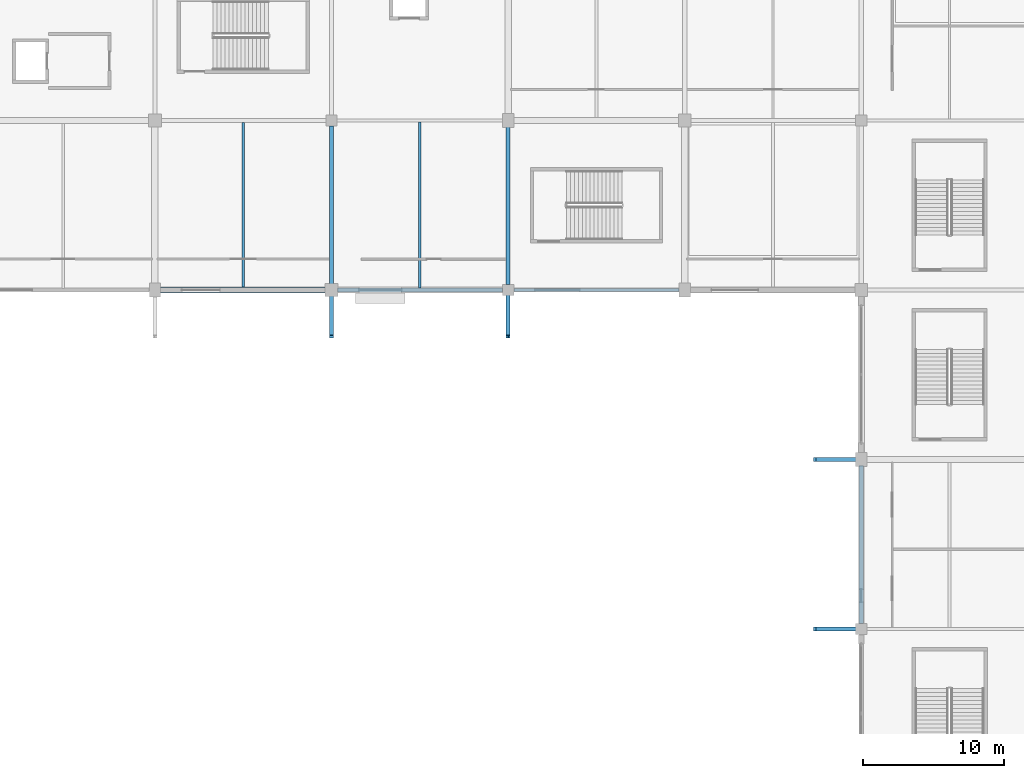
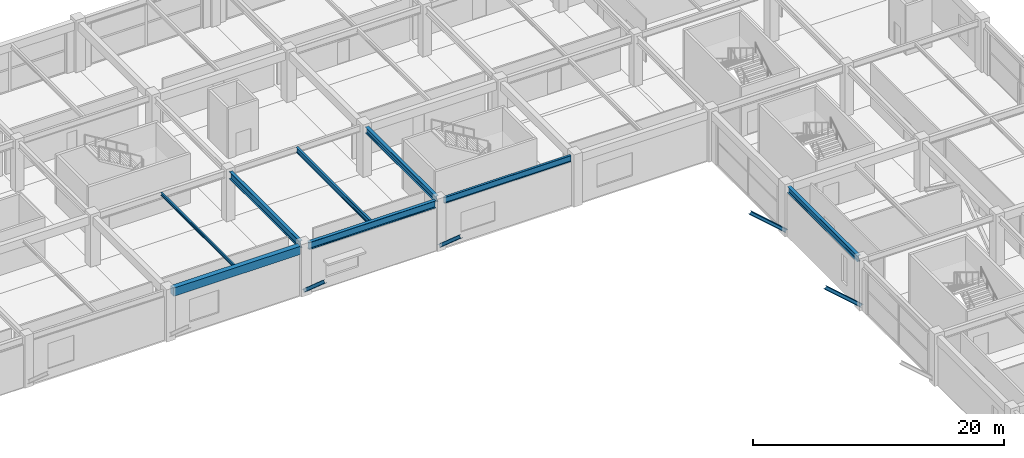
# One storey, part 39 of 116: 8 beams, 4 members.
"""IFC4 building model written with IfcOpenShell, lengths in metres."""

import ifcopenshell
import ifcopenshell.guid

model = None  # the IFC model being written
_history = None  # IfcOwnerHistory: only IFC2X3 demands one
_inside = {}  # id of a spatial element -> (the spatial element, [elements in it])
_under = {}  # id of a project, library or spatial element -> (it, [spatial elements below it])
_declared = {}  # id of a project -> (the project, [libraries it declares])
_typed = {}  # id of a type object -> (the type object, [elements of that type])
_made_of = {}  # id of a material, layer set ... -> (it, [elements and type objects made of it])


def new_model(schema):
    """Start an empty IFC model of exactly this schema.

    Asked for "IFC4X3", IfcOpenShell would pick the latest addendum, in which some entities
    have other attributes; the version numbers below select the first issue.
    IFC2X3 requires an IfcOwnerHistory on every rooted entity: one is made here for all.
    """
    global model, _history
    if schema == "IFC4X3":
        model = ifcopenshell.file(schema_version=(4, 3, 0, 0))
    else:
        model = ifcopenshell.file(schema=schema)
    _inside.clear()
    _under.clear()
    _declared.clear()
    _typed.clear()
    _made_of.clear()
    _history = None
    if model.schema == "IFC2X3":
        org = make("IfcOrganization", Name="unknown")
        user = make(
            "IfcPersonAndOrganization",
            ThePerson=make("IfcPerson", FamilyName="unknown"),
            TheOrganization=org,
        )
        app = make(
            "IfcApplication",
            ApplicationDeveloper=org,
            Version="unknown",
            ApplicationFullName="unknown",
            ApplicationIdentifier="unknown",
        )
        _history = make(
            "IfcOwnerHistory",
            OwningUser=user,
            OwningApplication=app,
            ChangeAction="ADDED",
            CreationDate=0,
        )
    return model


def make(cls, **values):
    """One entity of the class cls with the attributes given. An attribute that is None is left unset."""
    return model.create_entity(
        cls, **{name: value for name, value in values.items() if value is not None}
    )


def rooted(cls, **values):
    """An entity with a GlobalId (a new one), such as an element, a storey or a relation."""
    return make(cls, GlobalId=ifcopenshell.guid.new(), OwnerHistory=_history, **values)


def si_unit(unit_type, name, prefix=None):
    """IfcSIUnit, for example si_unit("LENGTHUNIT", "METRE", prefix="MILLI")."""
    return make("IfcSIUnit", UnitType=unit_type, Prefix=prefix, Name=name)


def assignment(units):
    """IfcUnitAssignment: the units of a project."""
    return None if units is None else make("IfcUnitAssignment", Units=units)


def point(xyz):
    """IfcCartesianPoint."""
    return None if xyz is None else make("IfcCartesianPoint", Coordinates=xyz)


def direction(xyz):
    """IfcDirection."""
    return None if xyz is None else make("IfcDirection", DirectionRatios=xyz)


def frame(location, z_axis=None, x_axis=None):
    """IfcAxis2Placement3D, a coordinate frame: its origin and axes. An axis left out is left unset."""
    return make(
        "IfcAxis2Placement3D",
        Location=point(location),
        Axis=direction(z_axis),
        RefDirection=direction(x_axis),
    )


def frame_2d(location, x_axis=None):
    """IfcAxis2Placement2D, a coordinate frame in the plane: its origin and x axis."""
    return make(
        "IfcAxis2Placement2D", Location=point(location), RefDirection=direction(x_axis)
    )


def origin():
    """The frame at (0, 0, 0) with its axes left unset."""
    return frame((0.0, 0.0, 0.0))


def origin_2d():
    """The frame at (0, 0) in the plane with its x axis left unset."""
    return frame_2d((0.0, 0.0))


def place(relative_to, where):
    """IfcLocalPlacement: puts the frame where relative to a parent placement (None: the world)."""
    return make(
        "IfcLocalPlacement", PlacementRelTo=relative_to, RelativePlacement=where
    )


def context(
    kind, dimensions, precision=None, world=None, true_north=None, identifier=None
):
    """IfcGeometricRepresentationContext, for example the 3D "Model" context."""
    return make(
        "IfcGeometricRepresentationContext",
        ContextIdentifier=identifier,
        ContextType=kind,
        CoordinateSpaceDimension=dimensions,
        Precision=precision,
        WorldCoordinateSystem=world,
        TrueNorth=true_north,
    )


def subcontext(parent, identifier, kind, view, scale=None):
    """IfcGeometricRepresentationSubContext, for example "Body" below "Model"."""
    return make(
        "IfcGeometricRepresentationSubContext",
        ContextIdentifier=identifier,
        ContextType=kind,
        ParentContext=parent,
        TargetScale=scale,
        TargetView=view,
    )


def project(units=None, contexts=None):
    """IfcProject with its units and contexts."""
    return rooted(
        "IfcProject",
        Name="project",
        RepresentationContexts=contexts,
        UnitsInContext=assignment(units),
    )


def spatial(cls, under=None, at=None, **own):
    """A site, building, storey or space (cls), placed at a placement, below another one or the project."""
    s = rooted(cls, ObjectPlacement=at, **own)
    if under is not None:
        _under.setdefault(under.id(), (under, []))[1].append(s)
    return s


def profile(cls, at=None, kind="AREA", **sizes):
    """A parametric profile (cls). Its sizes go by their IFC names, for example OverallWidth=200.0."""
    return make(cls, ProfileType=kind, Position=at, **sizes)


def rectangle(**sizes):
    """IfcRectangleProfileDef."""
    return profile("IfcRectangleProfileDef", **sizes)


def i_section(**sizes):
    """IfcIShapeProfileDef."""
    return profile("IfcIShapeProfileDef", **sizes)


def extrude(swept, where, along, depth):
    """IfcExtrudedAreaSolid: the profile swept, set in the frame where, extruded along a direction by depth."""
    return make(
        "IfcExtrudedAreaSolid",
        SweptArea=swept,
        Position=where,
        ExtrudedDirection=direction(along),
        Depth=depth,
    )


def shape(context_of_items, identifier, shape_type, items):
    """IfcShapeRepresentation: the items that make up one representation, for example the "Body"."""
    return make(
        "IfcShapeRepresentation",
        ContextOfItems=context_of_items,
        RepresentationIdentifier=identifier,
        RepresentationType=shape_type,
        Items=items,
    )


def material(Name=None, Category=None):
    """IfcMaterial."""
    return make("IfcMaterial", Name=Name, Category=Category)


def material_profile(
    of_material, cross_section, Name=None, Category=None, Priority=None
):
    """IfcMaterialProfile: a cross section and its material."""
    return make(
        "IfcMaterialProfile",
        Name=Name,
        Material=of_material,
        Profile=cross_section,
        Priority=Priority,
        Category=Category,
    )


def profile_set(profiles, Name=None, composite=None):
    """IfcMaterialProfileSet."""
    return make(
        "IfcMaterialProfileSet",
        Name=Name,
        MaterialProfiles=profiles,
        CompositeProfile=composite,
    )


def made_of(thing, what):
    """Note that an element or type object is made of a material, layer set ...; save() writes the relation."""
    if what is not None:
        _made_of.setdefault(what.id(), (what, []))[1].append(thing)
    return thing


def type_object(cls, material=None, **own):
    """A type object (cls), such as IfcWallType, which elements share."""
    return made_of(rooted(cls, **own), material)


def element(
    cls,
    number,
    at=None,
    inside=None,
    cuts=None,
    type_object=None,
    material=None,
    context=None,
    identifier="Body",
    shape_type=None,
    held_by="IfcProductDefinitionShape",
    body=None,
    shapes=None,
    **own,
):
    """One element of the class cls, such as IfcWall. Its Tag is "e" and its number.

    at: its placement. inside: the storey or other place that contains it. cuts: it is an
    opening in that element (IfcRelVoidsElement). A single representation is given by context,
    identifier, shape_type and body (its items); several are given by shapes. held_by: the class
    of the entity that holds the representations. save() writes the other relations.
    """
    e = rooted(cls, Tag="e%d" % number, ObjectPlacement=at, **own)
    if body is not None:
        shapes = [shape(context, identifier, shape_type, body)]
    if shapes is not None:
        e.Representation = make(held_by, Representations=shapes)
    if inside is not None:
        _inside.setdefault(inside.id(), (inside, []))[1].append(e)
    if cuts is not None:
        rooted(
            "IfcRelVoidsElement", RelatingBuildingElement=cuts, RelatedOpeningElement=e
        )
    if type_object is not None:
        _typed.setdefault(type_object.id(), (type_object, []))[1].append(e)
    return made_of(e, material)


def aggregate(whole, parts):
    """IfcRelAggregates: a whole, such as a stair, and the parts it consists of."""
    return rooted("IfcRelAggregates", RelatingObject=whole, RelatedObjects=parts)


def save(model, path):
    """Write the relations noted so far, then the file.

    IfcRelAggregates (storeys below a building ...), IfcRelContainedInSpatialStructure (elements
    in a storey), IfcRelDefinesByType, IfcRelAssociatesMaterial and IfcRelDeclares: one each for
    every whole, place, type object, material and project.
    """
    for whole, parts in _under.values():
        aggregate(whole, parts)
    for where, things in _inside.values():
        rooted(
            "IfcRelContainedInSpatialStructure",
            RelatedElements=things,
            RelatingStructure=where,
        )
    for kind, things in _typed.values():
        rooted("IfcRelDefinesByType", RelatedObjects=things, RelatingType=kind)
    for what, things in _made_of.values():
        rooted("IfcRelAssociatesMaterial", RelatedObjects=things, RelatingMaterial=what)
    for by, libraries in _declared.values():
        rooted("IfcRelDeclares", RelatingContext=by, RelatedDefinitions=libraries)
    model.write(path)


model = new_model("IFC4")

# Units and contexts
model_context = context("Model", 3, precision=1e-05, world=origin(), true_north=direction((0.0, 1.0)))
body_context = subcontext(model_context, "Body", "Model", "MODEL_VIEW")
ifc_project = project(units=[si_unit("LENGTHUNIT", "METRE"), si_unit("AREAUNIT", "SQUARE_METRE"), si_unit("VOLUMEUNIT", "CUBIC_METRE"), si_unit("PLANEANGLEUNIT", "RADIAN"), si_unit("MASSUNIT", "GRAM", prefix="KILO")], contexts=[model_context])

# Site, building, storey
site_placement = place(None, origin())
site = spatial("IfcSite", under=ifc_project, at=site_placement, CompositionType="ELEMENT")
building_placement = place(site_placement, origin())
building = spatial("IfcBuilding", under=site, at=building_placement, Name="Kazenohara Klinker Stadium", CompositionType="ELEMENT")
storey_placement = place(building_placement, frame((0.0, 0.0, 10.199951171875)))
storey = spatial("IfcBuildingStorey", under=building, at=storey_placement, Name="L02", CompositionType="ELEMENT", Elevation=10.199951171875)

# Beams
ifc_material_1 = material(Name="Steel S355", Category="steel")
ifc_material_profile_1 = material_profile(ifc_material_1, i_section(OverallWidth=0.199951171875, OverallDepth=0.5, WebThickness=0.010009765625, FlangeThickness=0.01611328125, FilletRadius=0.012939453125, at=origin_2d()), Name="H-500x200x10x16")
ifc_profile_set_1 = profile_set([ifc_material_profile_1], Name="Steel S355")
beam_type_1 = type_object("IfcBeamType", Name="BM-JST01", PredefinedType="JOIST", material=ifc_profile_set_1)
beam_1_placement = place(storey_placement, frame((143.75, 132.14990234375, 4.570068359375), z_axis=(0.0, 1.0, 0.0), x_axis=(-1.0, 0.0, 0.0)))
element("IfcBeam", 1, at=beam_1_placement, inside=storey, type_object=beam_type_1, Name="Secondary floor joist SJ01 L02 12/M", PredefinedType="JOIST", context=body_context, shape_type="SweptSolid", body=[
    extrude(i_section(OverallWidth=0.199951171875, OverallDepth=0.5, WebThickness=0.010009765625, FlangeThickness=0.01611328125, FilletRadius=0.012939453125, at=origin_2d()), origin(), (0.0, 0.0, 1.0), 11.75),
])
ifc_material_profile_2 = material_profile(ifc_material_1, i_section(OverallWidth=0.14990234375, OverallDepth=0.300048828125, WebThickness=0.006591796875, FlangeThickness=0.009033203125, FilletRadius=0.012939453125, at=origin_2d()), Name="H-300x150x6.5x9")
ifc_profile_set_2 = profile_set([ifc_material_profile_2], Name="Steel S355")
beam_type_2 = type_object("IfcBeamType", Name="BM-JST05", PredefinedType="JOIST", material=ifc_profile_set_2)
beam_2_placement = place(storey_placement, frame((131.25, 132.22509765625, 4.670166015625), z_axis=(0.0, 1.0, 0.0), x_axis=(-1.0, 0.0, 0.0)))
element("IfcBeam", 2, at=beam_2_placement, inside=storey, type_object=beam_type_2, Name="Secondary floor joist SJ05 L02 11/M", PredefinedType="JOIST", context=body_context, shape_type="SweptSolid", body=[
    extrude(i_section(OverallWidth=0.14990234375, OverallDepth=0.300048828125, WebThickness=0.006591796875, FlangeThickness=0.009033203125, FilletRadius=0.012939453125, at=origin_2d()), origin(), (0.0, 0.0, 1.0), 11.625),
])
ifc_material_2 = material(Name="Concrete C40/50", Category="concrete")
ifc_material_profile_3 = material_profile(ifc_material_2, rectangle(XDim=0.449951171875, YDim=0.800048828125, at=origin_2d()), Name="RC-BM-450x800")
ifc_profile_set_3 = profile_set([ifc_material_profile_3], Name="Concrete C40/50")
beam_type_3 = type_object("IfcBeamType", Name="BM-RC03", PredefinedType="BEAM", material=ifc_profile_set_3)
beam_3_placement = place(storey_placement, frame((125.39990234375, 132.0, 4.420166015625), z_axis=(1.0, 0.0, 0.0), x_axis=(0.0, 1.0, 0.0)))
element("IfcBeam", 3, at=beam_3_placement, inside=storey, type_object=beam_type_3, Name="Primary girder BG03 L02 11-12/M", PredefinedType="BEAM", context=body_context, shape_type="SweptSolid", body=[
    extrude(rectangle(XDim=0.449951171875, YDim=0.800048828125, at=origin_2d()), origin(), (0.0, 0.0, 1.0), 11.68017578125),
])
ifc_material_profile_4 = material_profile(ifc_material_1, i_section(OverallWidth=0.300048828125, OverallDepth=0.699951171875, WebThickness=0.012939453125, FlangeThickness=0.02392578125, FilletRadius=0.02197265625, at=origin_2d()), Name="H-700x300x13x24")
ifc_profile_set_4 = profile_set([ifc_material_profile_4], Name="Steel S355")
beam_type_4 = type_object("IfcBeamType", Name="BM-ST03", PredefinedType="BEAM", material=ifc_profile_set_4)
beam_4_placement = place(storey_placement, frame((137.919921875, 132.0, 4.469970703125), z_axis=(1.0, 0.0, 0.0), x_axis=(0.0, 1.0, 0.0)))
element("IfcBeam", 4, at=beam_4_placement, inside=storey, type_object=beam_type_4, Name="Primary girder SB03 L02 12-13/M", PredefinedType="BEAM", context=body_context, shape_type="SweptSolid", body=[
    extrude(i_section(OverallWidth=0.300048828125, OverallDepth=0.699951171875, WebThickness=0.012939453125, FlangeThickness=0.02392578125, FilletRadius=0.02197265625, at=origin_2d()), origin(), (0.0, 0.0, 1.0), 11.68017578125),
])
beam_5_placement = place(storey_placement, frame((137.5, 132.419921875, 4.469970703125), z_axis=(0.0, 1.0, 0.0), x_axis=(-1.0, 0.0, 0.0)))
element("IfcBeam", 5, at=beam_5_placement, inside=storey, type_object=beam_type_4, Name="Primary girder SB03 L02 12/M-N", PredefinedType="BEAM", context=body_context, shape_type="SweptSolid", body=[
    extrude(i_section(OverallWidth=0.300048828125, OverallDepth=0.699951171875, WebThickness=0.012939453125, FlangeThickness=0.02392578125, FilletRadius=0.02197265625, at=origin_2d()), origin(), (0.0, 0.0, 1.0), 11.18017578125),
])
ifc_material_profile_5 = material_profile(ifc_material_1, i_section(OverallWidth=0.199951171875, OverallDepth=0.60009765625, WebThickness=0.010986328125, FlangeThickness=0.01708984375, FilletRadius=0.012939453125, at=origin_2d()), Name="H-600x200x11x17")
ifc_profile_set_5 = profile_set([ifc_material_profile_5], Name="Steel S355")
beam_type_5 = type_object("IfcBeamType", Name="BM-ST04", PredefinedType="BEAM", material=ifc_profile_set_5)
beam_6_placement = place(storey_placement, frame((150.39990234375, 132.0, 4.52001953125), z_axis=(1.0, 0.0, 0.0), x_axis=(0.0, 1.0, 0.0)))
element("IfcBeam", 6, at=beam_6_placement, inside=storey, type_object=beam_type_5, Name="Primary girder SB04 L02 13-14/M", PredefinedType="BEAM", context=body_context, shape_type="SweptSolid", body=[
    extrude(i_section(OverallWidth=0.199951171875, OverallDepth=0.60009765625, WebThickness=0.010986328125, FlangeThickness=0.01708984375, FilletRadius=0.012939453125, at=origin_2d()), origin(), (0.0, 0.0, 1.0), 11.7001953125),
])
ifc_material_profile_6 = material_profile(ifc_material_1, i_section(OverallWidth=0.300048828125, OverallDepth=0.587890625, WebThickness=0.011962890625, FlangeThickness=0.02001953125, FilletRadius=0.02197265625, at=origin_2d()), Name="H-588x300x12x20")
ifc_profile_set_6 = profile_set([ifc_material_profile_6], Name="Steel S355")
beam_type_6 = type_object("IfcBeamType", Name="BM-ST05", PredefinedType="BEAM", material=ifc_profile_set_6)
for number, where, z_axis, x_axis, name in (
    (7, (150.0, 132.39990234375, 4.526123046875), (0.0, 1.0, 0.0), (-1.0, 0.0, 0.0), "Primary girder SB05 L02 13/M-N"),
    (8, (175.0, 108.39990234375, 4.526123046875), (0.0, 1.0, 0.0), (-1.0, 0.0, 0.0), "Primary girder SB05 L02 15/K-L"),
):
    element("IfcBeam", number, at=place(storey_placement, frame(where, z_axis=z_axis, x_axis=x_axis)), inside=storey, type_object=beam_type_6, Name=name, PredefinedType="BEAM", context=body_context, shape_type="SweptSolid", body=[
        extrude(i_section(OverallWidth=0.300048828125, OverallDepth=0.587890625, WebThickness=0.011962890625, FlangeThickness=0.02001953125, FilletRadius=0.02197265625, at=origin_2d()), origin(), (0.0, 0.0, 1.0), 11.18017578125),
    ])

# Members
ifc_material_profile_7 = material_profile(ifc_material_1, i_section(OverallWidth=0.300048828125, OverallDepth=0.300048828125, WebThickness=0.010009765625, FlangeThickness=0.014892578125, FilletRadius=0.012939453125, at=origin_2d()), Name="H-300x300x10x15")
ifc_profile_set_7 = profile_set([ifc_material_profile_7], Name="Steel S355")
member_type = type_object("IfcMemberType", Name="MEM-BRC01", PredefinedType="BRACE", material=ifc_profile_set_7)
for number, where, z_axis, x_axis, name in (
    (9, (175.0, 108.0, 0.199951171875), (-0.750987889423, 0.0, 0.660315977347), (0.0, -1.0, 0.0), "Upper bowl raking bracket strut BR01 East K"),
    (10, (175.0, 120.0, 0.199951171875), (-0.750987889423, 0.0, 0.660315977347), (0.0, -1.0, 0.0), "Upper bowl raking bracket strut BR01 East L"),
    (11, (137.5, 132.0, 0.199951171875), (0.0, -0.750987889423, 0.660315977347), (1.0, 0.0, 0.0), "Upper bowl raking bracket strut BR01 North 12"),
    (12, (150.0, 132.0, 0.199951171875), (0.0, -0.750987889423, 0.660315977347), (1.0, 0.0, 0.0), "Upper bowl raking bracket strut BR01 North 13"),
):
    element("IfcMember", number, at=place(storey_placement, frame(where, z_axis=z_axis, x_axis=x_axis)), inside=storey, type_object=member_type, Name=name, PredefinedType="BRACE", context=body_context, shape_type="SweptSolid", body=[
        extrude(i_section(OverallWidth=0.300048828125, OverallDepth=0.300048828125, WebThickness=0.010009765625, FlangeThickness=0.014892578125, FilletRadius=0.012939453125, at=origin_2d()), origin(), (0.0, 0.0, 1.0), 4.394287109375),
    ])

save(model, "model.ifc")
